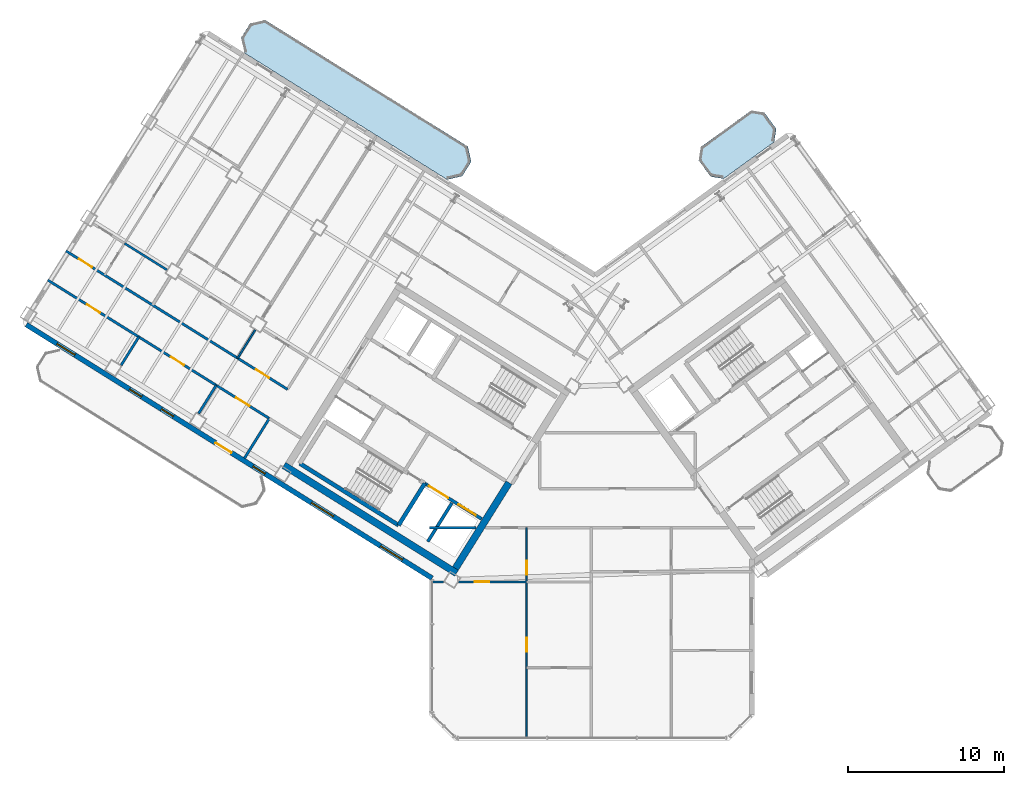
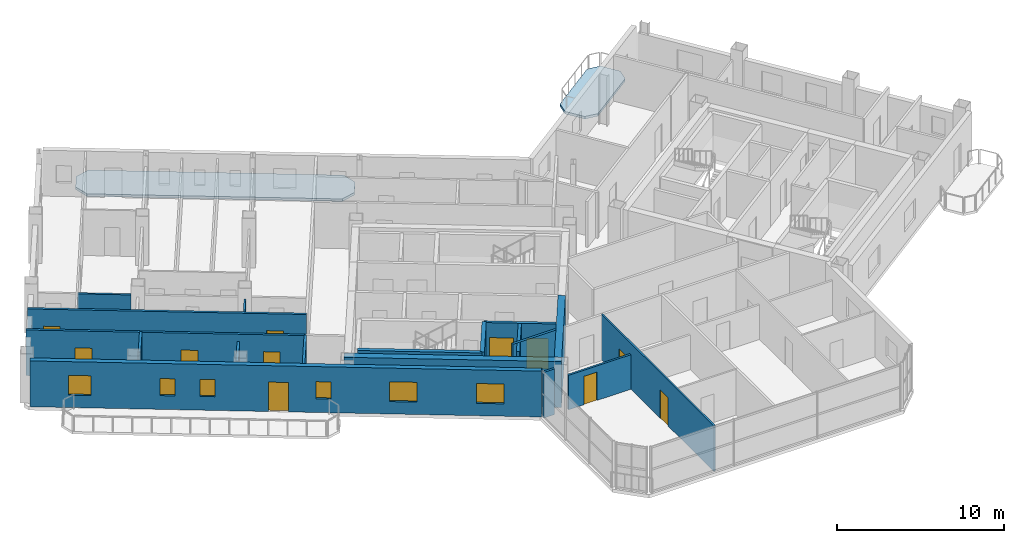
# One storey, part 11 of 20: 18 walls, 11 doors, 6 windows, 2 slabs, 17 openings.
"""IFC4 building model written with IfcOpenShell, lengths in metres."""

from ifc_helpers import new_model, si_unit, direction, frame, frame_2d, origin, place, context, subcontext, project, spatial, polyline, rectangle, outline, extrude, source, transform, mapped, material, layer, layer_set, type_object, element, fill, save


model = new_model("IFC4")

# Units and contexts
model_context = context("Model", 3, precision=1e-05, world=origin(), true_north=direction((0.0, 1.0)))
body_context = subcontext(model_context, "Body", "Model", "MODEL_VIEW")
ifc_project = project(units=[si_unit("LENGTHUNIT", "METRE"), si_unit("AREAUNIT", "SQUARE_METRE"), si_unit("VOLUMEUNIT", "CUBIC_METRE"), si_unit("PLANEANGLEUNIT", "RADIAN"), si_unit("MASSUNIT", "GRAM", prefix="KILO")], contexts=[model_context])

# Site, building, storey
site_placement = place(None, origin())
site = spatial("IfcSite", under=ifc_project, at=site_placement, CompositionType="ELEMENT")
building_placement = place(site_placement, origin())
building = spatial("IfcBuilding", under=site, at=building_placement, Name="Tlacorven Tower", CompositionType="ELEMENT")
storey_placement = place(building_placement, frame((0.0, 0.0, 225.60009765625)))
storey = spatial("IfcBuildingStorey", under=building, at=storey_placement, Name="L57", CompositionType="ELEMENT", Elevation=225.60009765625)

# Slabs
ifc_material_1 = material(Name="Precast concrete C45/55", Category="concrete")
ifc_layer_1 = layer(ifc_material_1, 0.179931640625)
ifc_layer_set_1 = layer_set([ifc_layer_1], Name="Precast concrete C45/55")
slab_type = type_object("IfcSlabType", Name="SL-BAL-180", PredefinedType="USERDEFINED", material=ifc_layer_set_1)
slab_1_placement = place(storey_placement, frame((0.0, 0.0, -0.18017578125)))
element("IfcSlab", 1, at=slab_1_placement, inside=storey, type_object=slab_type, Name="L57 West Wing Balcony Ribbon IN", ObjectType="BALCONY SLAB", PredefinedType="USERDEFINED", context=body_context, shape_type="SweptSolid", body=[
    extrude(outline(polyline([(34.0419921875, 39.835693359375), (21.06689453125, 47.943359375), (20.102294921875, 47.720703125), (19.52197265625, 46.7919921875), (19.744873046875, 45.827392578125), (32.719970703125, 37.7197265625), (33.6845703125, 37.9423828125), (34.2646484375, 38.87109375), (34.0419921875, 39.835693359375)])), origin(), (0.0, 0.0, 1.0), 0.18017578125),
])
slab_2_placement = place(storey_placement, frame((0.0, 0.0, -0.18017578125)))
element("IfcSlab", 2, at=slab_2_placement, inside=storey, type_object=slab_type, Name="L57 East Wing Balcony Ribbon IN", ObjectType="BALCONY SLAB", PredefinedType="USERDEFINED", context=body_context, shape_type="SweptSolid", body=[
    extrude(outline(polyline([(50.433837890625, 37.77880859375), (53.669921875, 40.1298828125), (53.802490234375, 40.968017578125), (53.04150390625, 42.015625), (52.203369140625, 42.1484375), (48.96728515625, 39.79736328125), (48.83447265625, 38.959228515625), (49.595703125, 37.91162109375), (50.433837890625, 37.77880859375)])), origin(), (0.0, 0.0, 1.0), 0.18017578125),
])

# Walls
ifc_material_2 = material(Name="Concrete C50/60", Category="concrete")
ifc_layer_2 = layer(ifc_material_2, 0.449951171875)
ifc_layer_set_2 = layer_set([ifc_layer_2], Name="Concrete C50/60")
wall_type_1 = type_object("IfcWallType", Name="WL-COR-450", PredefinedType="SHEAR", material=ifc_layer_set_2)
wall_1_placement = place(storey_placement, frame((33.32373046875, 12.5029296875, 0.0), z_axis=(0.0, 0.0, 1.0), x_axis=(-0.848043529849, 0.529926571782, 0.0)))
element("IfcWall", 3, at=wall_1_placement, inside=storey, type_object=wall_type_1, Name="L57 W core shear wall S2", PredefinedType="SHEAR", context=body_context, shape_type="SweptSolid", body=[
    extrude(rectangle(XDim=13.039794921875, YDim=0.449951171875, at=frame_2d((6.52001953125, 0.0))), origin(), (0.0, 0.0, 1.0), 3.349853515625),
])
wall_2_placement = place(storey_placement, frame((36.683349609375, 18.30419921875, 0.0), z_axis=(0.0, 0.0, 1.0), x_axis=(-0.529904039071, -0.848057609704, 0.0)))
element("IfcWall", 4, at=wall_2_placement, inside=storey, type_object=wall_type_1, Name="L57 W core end wall E1.2", PredefinedType="SHEAR", context=body_context, shape_type="SweptSolid", body=[
    extrude(rectangle(XDim=6.47509765625, YDim=0.449951171875, at=frame_2d((3.237548828125, 0.0))), origin(), (0.0, 0.0, 1.0), 3.349853515625),
])
ifc_material_3 = material(Name="Gypsum plasterboard acoustic partition", Category="gypsum")
ifc_layer_3 = layer(ifc_material_3, 0.159912109375)
ifc_layer_set_3 = layer_set([ifc_layer_3], Name="Gypsum plasterboard acoustic partition")
wall_type_2 = type_object("IfcWallType", Name="WL-DEM-160", PredefinedType="PARTITIONING", material=ifc_layer_set_3)
wall_3_placement = place(storey_placement, frame((21.3291015625, 22.41552734375, 0.0), z_axis=(0.0, 0.0, 1.0), x_axis=(-0.529933104572, -0.848039447596, 0.0)))
element("IfcWall", 5, at=wall_3_placement, inside=storey, type_object=wall_type_2, Name="L57 partition 39", PredefinedType="PARTITIONING", context=body_context, shape_type="SweptSolid", body=[
    extrude(rectangle(XDim=3.0, YDim=0.159912109375, at=frame_2d((1.5, 0.0))), origin(), (0.0, 0.0, 1.0), 3.33984375),
])

# Wall, openings, doors
wall_4_placement = place(storey_placement, frame((22.494873046875, 24.28125, 0.0), z_axis=(0.0, 0.0, 1.0), x_axis=(-0.848052408131, 0.529912363569, 0.0)))
wall_4 = element("IfcWall", 6, at=wall_4_placement, inside=storey, type_object=wall_type_2, Name="L57 Wing W Corridor South Wall", PredefinedType="PARTITIONING", context=body_context, shape_type="SweptSolid", body=[
    extrude(rectangle(XDim=16.72998046875, YDim=0.159912109375, at=frame_2d((8.364990234375, 0.0))), origin(), (0.0, 0.0, 1.0), 3.33984375),
])
opening_1_placement = place(wall_4_placement, frame((1.385009765625, 0.0, 0.0)))
opening_1 = element("IfcOpeningElement", 7, at=opening_1_placement, cuts=wall_4, Name="Opening D11", PredefinedType="OPENING", context=body_context, shape_type="SweptSolid", body=[
    extrude(rectangle(XDim=1.0, YDim=2.10009765625, at=frame_2d((0.5, 1.050048828125))), frame((0.0, 0.08984375, 0.0), z_axis=(0.0, -1.0, 0.0), x_axis=(1.0, 0.0, 0.0)), (0.0, 0.0, 1.0), 0.179931640625),
])
opening_2_placement = place(wall_4_placement, frame((14.760009765625, 0.0, 0.0)))
opening_2 = element("IfcOpeningElement", 8, at=opening_2_placement, cuts=wall_4, Name="Opening D11", PredefinedType="OPENING", context=body_context, shape_type="SweptSolid", body=[
    extrude(rectangle(XDim=1.0, YDim=2.10009765625, at=frame_2d((0.5, 1.050048828125))), frame((0.0, 0.08984375, 0.0), z_axis=(0.0, -1.0, 0.0), x_axis=(1.0, 0.0, 0.0)), (0.0, 0.0, 1.0), 0.179931640625),
])
ifc_material_4 = material(Name="Fire-rated steel door assembly", Category="steel")
door_type_1 = type_object("IfcDoorType", Name="DR-FLT-FD60-1000", OperationType="NOTDEFINED", PredefinedType="DOOR", material=ifc_material_4)
shared_shape_1 = source(origin(), body_context, "Body", "SweptSolid", [
    extrude(rectangle(XDim=1.0, YDim=2.10009765625, at=frame_2d((0.5, 1.050048828125))), frame((0.0, 0.02490234375, 0.0), z_axis=(0.0, -1.0, 0.0), x_axis=(1.0, 0.0, 0.0)), (0.0, 0.0, 1.0), 0.050048828125),
])
door_1_placement = place(opening_1_placement, origin())
door_1 = element("IfcDoor", 9, at=door_1_placement, inside=storey, type_object=door_type_1, Name="L57 door 024", OperationType="SINGLE_SWING_RIGHT", OverallHeight=2.10009765625, OverallWidth=1.0, PredefinedType="DOOR", context=body_context, shape_type="MappedRepresentation", body=[
    mapped(shared_shape_1, transform((0.0, 0.0, 0.0), scale=1.0)),
])
fill(opening_1, door_1)
door_2_placement = place(opening_2_placement, origin())
door_2 = element("IfcDoor", 10, at=door_2_placement, inside=storey, type_object=door_type_1, Name="L57 door 032", OperationType="SINGLE_SWING_RIGHT", OverallHeight=2.10009765625, OverallWidth=1.0, PredefinedType="DOOR", context=body_context, shape_type="MappedRepresentation", body=[
    mapped(shared_shape_1, transform((0.0, 0.0, 0.0), scale=1.0)),
])
fill(opening_2, door_2)

wall_5_placement = place(storey_placement, frame((21.3291015625, 22.41552734375, 0.0), z_axis=(0.0, 0.0, 1.0), x_axis=(-0.848052408131, 0.529912363569, 0.0)))
wall_5 = element("IfcWall", 11, at=wall_5_placement, inside=storey, type_object=wall_type_2, Name="L57 Wing W Corridor North Wall", PredefinedType="PARTITIONING", context=body_context, shape_type="SweptSolid", body=[
    extrude(rectangle(XDim=16.72998046875, YDim=0.159912109375, at=frame_2d((8.364990234375, 0.0))), origin(), (0.0, 0.0, 1.0), 3.33984375),
])
opening_3_placement = place(wall_5_placement, frame((1.5048828125, 0.0, 0.0)))
opening_3 = element("IfcOpeningElement", 12, at=opening_3_placement, cuts=wall_5, Name="Opening D11", PredefinedType="OPENING", context=body_context, shape_type="SweptSolid", body=[
    extrude(rectangle(XDim=1.0, YDim=2.10009765625, at=frame_2d((0.5, 1.050048828125))), frame((0.0, 0.08984375, 0.0), z_axis=(0.0, -1.0, 0.0), x_axis=(1.0, 0.0, 0.0)), (0.0, 0.0, 1.0), 0.179931640625),
])
opening_4_placement = place(wall_5_placement, frame((6.4345703125, 0.0, 0.0)))
opening_4 = element("IfcOpeningElement", 13, at=opening_4_placement, cuts=wall_5, Name="Opening D11", PredefinedType="OPENING", context=body_context, shape_type="SweptSolid", body=[
    extrude(rectangle(XDim=1.0, YDim=2.10009765625, at=frame_2d((0.5, 1.050048828125))), frame((0.0, 0.08984375, 0.0), z_axis=(0.0, -1.0, 0.0), x_axis=(1.0, 0.0, 0.0)), (0.0, 0.0, 1.0), 0.179931640625),
])
opening_5_placement = place(wall_5_placement, frame((12.784423828125, 0.0, 0.0)))
opening_5 = element("IfcOpeningElement", 14, at=opening_5_placement, cuts=wall_5, Name="Opening D11", PredefinedType="OPENING", context=body_context, shape_type="SweptSolid", body=[
    extrude(rectangle(XDim=1.0, YDim=2.10009765625, at=frame_2d((0.5, 1.050048828125))), frame((0.0, 0.08984375, 0.0), z_axis=(0.0, -1.0, 0.0), x_axis=(1.0, 0.0, 0.0)), (0.0, 0.0, 1.0), 0.179931640625),
])
door_3_placement = place(opening_3_placement, origin())
door_3 = element("IfcDoor", 15, at=door_3_placement, inside=storey, type_object=door_type_1, Name="L57 door 020", OperationType="SINGLE_SWING_RIGHT", OverallHeight=2.10009765625, OverallWidth=1.0, PredefinedType="DOOR", context=body_context, shape_type="MappedRepresentation", body=[
    mapped(shared_shape_1, transform((0.0, 0.0, 0.0), scale=1.0)),
])
fill(opening_3, door_3)
door_4_placement = place(opening_4_placement, origin())
door_4 = element("IfcDoor", 16, at=door_4_placement, inside=storey, type_object=door_type_1, Name="L57 door 021", OperationType="SINGLE_SWING_LEFT", OverallHeight=2.10009765625, OverallWidth=1.0, PredefinedType="DOOR", context=body_context, shape_type="MappedRepresentation", body=[
    mapped(shared_shape_1, transform((0.0, 0.0, 0.0), scale=1.0)),
])
fill(opening_4, door_4)
door_5_placement = place(opening_5_placement, origin())
door_5 = element("IfcDoor", 17, at=door_5_placement, inside=storey, type_object=door_type_1, Name="L57 door 022", OperationType="SINGLE_SWING_RIGHT", OverallHeight=2.10009765625, OverallWidth=1.0, PredefinedType="DOOR", context=body_context, shape_type="MappedRepresentation", body=[
    mapped(shared_shape_1, transform((0.0, 0.0, 0.0), scale=1.0)),
])
fill(opening_5, door_5)

# Walls
wall_6_placement = place(storey_placement, frame((17.92822265625, 24.54052734375, 0.0), z_axis=(0.0, 0.0, 1.0), x_axis=(-0.529844966244, -0.848094518167, 0.0)))
element("IfcWall", 18, at=wall_6_placement, inside=storey, type_object=wall_type_2, Name="L57 partition 42", PredefinedType="PARTITIONING", context=body_context, shape_type="SweptSolid", body=[
    extrude(rectangle(XDim=2.137939453125, YDim=0.159912109375, at=frame_2d((1.06884765625, 0.0))), origin(), (0.0, 0.0, 1.0), 2.824951171875),
])
wall_7_placement = place(storey_placement, frame((12.968017578125, 27.639892578125, 0.0), z_axis=(0.0, 0.0, 1.0), x_axis=(-0.52989628283, -0.848062456098, 0.0)))
element("IfcWall", 19, at=wall_7_placement, inside=storey, type_object=wall_type_2, Name="L57 partition 43", PredefinedType="PARTITIONING", context=body_context, shape_type="SweptSolid", body=[
    extrude(rectangle(XDim=2.1376953125, YDim=0.159912109375, at=frame_2d((1.06884765625, 0.0))), origin(), (0.0, 0.0, 1.0), 3.33984375),
])
wall_8_placement = place(storey_placement, frame((31.60009765625, 15.419921875, 0.0), z_axis=(0.0, 0.0, 1.0), x_axis=(1.0, 0.0, 0.0)))
element("IfcWall", 20, at=wall_8_placement, inside=storey, type_object=wall_type_2, Name="L57 Knuckle Corridor South Wall", PredefinedType="PARTITIONING", context=body_context, shape_type="SweptSolid", body=[
    extrude(rectangle(XDim=2.984130859375, YDim=0.159912109375, at=frame_2d((1.4921875, 0.0))), origin(), (0.0, 0.0, 1.0), 3.33984375),
])

# Wall, openings, door, windows
ifc_layer_4 = layer(ifc_material_1, 0.320068359375)
ifc_layer_set_4 = layer_set([ifc_layer_4], Name="Precast concrete C45/55")
wall_type_3 = type_object("IfcWallType", Name="WL-EXT-320", PredefinedType="STANDARD", material=ifc_layer_set_4)
wall_9_placement = place(storey_placement, frame((31.760009765625, 12.18310546875, 0.0), z_axis=(0.0, 0.0, 1.0), x_axis=(-0.848047074256, 0.529920899612, 0.0)))
wall_9 = element("IfcWall", 21, at=wall_9_placement, inside=storey, type_object=wall_type_3, Name="L57 Masonry-Frame Recessed Facade Wall 1", PredefinedType="STANDARD", context=body_context, shape_type="SweptSolid", body=[
    extrude(rectangle(XDim=30.652099609375, YDim=0.320068359375, at=frame_2d((15.326171875, 0.0))), origin(), (0.0, 0.0, 1.0), 3.349853515625),
])
opening_6_placement = place(wall_9_placement, frame((15.165771484375, 0.0, 0.0)))
opening_6 = element("IfcOpeningElement", 22, at=opening_6_placement, cuts=wall_9, Name="Opening D05", PredefinedType="OPENING", context=body_context, shape_type="SweptSolid", body=[
    extrude(rectangle(XDim=1.199951171875, YDim=2.14990234375, at=frame_2d((0.60009765625, 1.074951171875))), frame((0.0, 0.169921875, 0.0), z_axis=(0.0, -1.0, 0.0), x_axis=(1.0, 0.0, 0.0)), (0.0, 0.0, 1.0), 0.340087890625),
])
opening_7_placement = place(wall_9_placement, frame((2.239501953125, 0.0, 0.89990234375)))
opening_7 = element("IfcOpeningElement", 23, at=opening_7_placement, cuts=wall_9, Name="Opening WN07", PredefinedType="OPENING", context=body_context, shape_type="SweptSolid", body=[
    extrude(rectangle(XDim=1.64990234375, YDim=1.449951171875, at=frame_2d((0.824951171875, 0.72509765625))), frame((0.0, 0.169921875, 0.0), z_axis=(0.0, -1.0, 0.0), x_axis=(1.0, 0.0, 0.0)), (0.0, 0.0, 1.0), 0.340087890625),
])
opening_8_placement = place(wall_9_placement, frame((7.46875, 0.0, 0.89990234375)))
opening_8 = element("IfcOpeningElement", 24, at=opening_8_placement, cuts=wall_9, Name="Opening WN07", PredefinedType="OPENING", context=body_context, shape_type="SweptSolid", body=[
    extrude(rectangle(XDim=1.64990234375, YDim=1.449951171875, at=frame_2d((0.824951171875, 0.72509765625))), frame((0.0, 0.169921875, 0.0), z_axis=(0.0, -1.0, 0.0), x_axis=(1.0, 0.0, 0.0)), (0.0, 0.0, 1.0), 0.340087890625),
])
opening_9_placement = place(wall_9_placement, frame((12.623291015625, 0.0, 1.0)))
opening_9 = element("IfcOpeningElement", 25, at=opening_9_placement, cuts=wall_9, Name="Opening WN05", PredefinedType="OPENING", context=body_context, shape_type="SweptSolid", body=[
    extrude(rectangle(XDim=0.89990234375, YDim=1.25, at=frame_2d((0.449951171875, 0.625))), frame((0.0, 0.169921875, 0.0), z_axis=(0.0, -1.0, 0.0), x_axis=(1.0, 0.0, 0.0)), (0.0, 0.0, 1.0), 0.340087890625),
])
opening_10_placement = place(wall_9_placement, frame((19.5556640625, 0.0, 1.0)))
opening_10 = element("IfcOpeningElement", 26, at=opening_10_placement, cuts=wall_9, Name="Opening WN05", PredefinedType="OPENING", context=body_context, shape_type="SweptSolid", body=[
    extrude(rectangle(XDim=0.89990234375, YDim=1.25, at=frame_2d((0.449951171875, 0.625))), frame((0.0, 0.169921875, 0.0), z_axis=(0.0, -1.0, 0.0), x_axis=(1.0, 0.0, 0.0)), (0.0, 0.0, 1.0), 0.340087890625),
])
opening_11_placement = place(wall_9_placement, frame((21.9501953125, 0.0, 1.0)))
opening_11 = element("IfcOpeningElement", 27, at=opening_11_placement, cuts=wall_9, Name="Opening WN05", PredefinedType="OPENING", context=body_context, shape_type="SweptSolid", body=[
    extrude(rectangle(XDim=0.89990234375, YDim=1.25, at=frame_2d((0.449951171875, 0.625))), frame((0.0, 0.169921875, 0.0), z_axis=(0.0, -1.0, 0.0), x_axis=(1.0, 0.0, 0.0)), (0.0, 0.0, 1.0), 0.340087890625),
])
opening_12_placement = place(wall_9_placement, frame((26.9833984375, 0.0, 0.89990234375)))
opening_12 = element("IfcOpeningElement", 28, at=opening_12_placement, cuts=wall_9, Name="Opening WN08", PredefinedType="OPENING", context=body_context, shape_type="SweptSolid", body=[
    extrude(rectangle(XDim=1.35009765625, YDim=1.449951171875, at=frame_2d((0.675048828125, 0.72509765625))), frame((0.0, 0.169921875, 0.0), z_axis=(0.0, -1.0, 0.0), x_axis=(1.0, 0.0, 0.0)), (0.0, 0.0, 1.0), 0.340087890625),
])
ifc_material_5 = material(Name="Powder-coated aluminium and timber door", Category="wood")
door_type_2 = type_object("IfcDoorType", Name="DR-EXT-BALC-1200", OperationType="NOTDEFINED", PredefinedType="DOOR", material=ifc_material_5)
shared_shape_2 = source(origin(), body_context, "Body", "SweptSolid", [
    extrude(rectangle(XDim=1.199951171875, YDim=2.14990234375, at=frame_2d((0.60009765625, 1.074951171875))), frame((0.0, 0.02490234375, 0.0), z_axis=(0.0, -1.0, 0.0), x_axis=(1.0, 0.0, 0.0)), (0.0, 0.0, 1.0), 0.050048828125),
])
door_6_placement = place(opening_6_placement, origin())
door_6 = element("IfcDoor", 29, at=door_6_placement, inside=storey, type_object=door_type_2, Name="L57 Outdoor Access Door BAL-L57-W-OUT", OperationType="SINGLE_SWING_LEFT", OverallHeight=2.14990234375, OverallWidth=1.199951171875, PredefinedType="DOOR", context=body_context, shape_type="MappedRepresentation", body=[
    mapped(shared_shape_2, transform((0.0, 0.0, 0.0), scale=1.0)),
])
fill(opening_6, door_6)
ifc_material_6 = material(Name="Dark solar low-E double glazing in anodised aluminium frame", Category="aluminium")
window_type_1 = type_object("IfcWindowType", Name="WN-APT-0900X1350", PartitioningType="SINGLE_PANEL", PredefinedType="WINDOW", material=ifc_material_6)
shared_shape_3 = source(origin(), body_context, "Body", "SweptSolid", [
    extrude(rectangle(XDim=0.89990234375, YDim=1.25, at=frame_2d((0.449951171875, 0.625))), frame((0.0, 0.030029296875, 0.0), z_axis=(0.0, -1.0, 0.0), x_axis=(1.0, 0.0, 0.0)), (0.0, 0.0, 1.0), 0.06005859375),
])
window_1_placement = place(opening_9_placement, origin())
window_1 = element("IfcWindow", 30, at=window_1_placement, inside=storey, type_object=window_type_1, Name="L57 Recessed Masonry-Frame Window L57-01.3", OverallHeight=1.25, OverallWidth=0.89990234375, PartitioningType="SINGLE_PANEL", PredefinedType="WINDOW", context=body_context, shape_type="MappedRepresentation", body=[
    mapped(shared_shape_3, transform((0.0, 0.0, 0.0), scale=1.0)),
])
fill(opening_9, window_1)
window_2_placement = place(opening_10_placement, origin())
window_2 = element("IfcWindow", 31, at=window_2_placement, inside=storey, type_object=window_type_1, Name="L57 Recessed Masonry-Frame Window L57-01.4", OverallHeight=1.25, OverallWidth=0.89990234375, PartitioningType="SINGLE_PANEL", PredefinedType="WINDOW", context=body_context, shape_type="MappedRepresentation", body=[
    mapped(shared_shape_3, transform((0.0, 0.0, 0.0), scale=1.0)),
])
fill(opening_10, window_2)
window_3_placement = place(opening_11_placement, origin())
window_3 = element("IfcWindow", 32, at=window_3_placement, inside=storey, type_object=window_type_1, Name="L57 Recessed Masonry-Frame Window L57-01.5", OverallHeight=1.25, OverallWidth=0.89990234375, PartitioningType="SINGLE_PANEL", PredefinedType="WINDOW", context=body_context, shape_type="MappedRepresentation", body=[
    mapped(shared_shape_3, transform((0.0, 0.0, 0.0), scale=1.0)),
])
fill(opening_11, window_3)
window_type_2 = type_object("IfcWindowType", Name="WN-APT-1650X1600", PartitioningType="SINGLE_PANEL", PredefinedType="WINDOW", material=ifc_material_6)
shared_shape_4 = source(origin(), body_context, "Body", "SweptSolid", [
    extrude(rectangle(XDim=1.64990234375, YDim=1.449951171875, at=frame_2d((0.824951171875, 0.72509765625))), frame((0.0, 0.030029296875, 0.0), z_axis=(0.0, -1.0, 0.0), x_axis=(1.0, 0.0, 0.0)), (0.0, 0.0, 1.0), 0.06005859375),
])
window_4_placement = place(opening_7_placement, origin())
window_4 = element("IfcWindow", 33, at=window_4_placement, inside=storey, type_object=window_type_2, Name="L57 Recessed Masonry-Frame Window L57-01.1", OverallHeight=1.449951171875, OverallWidth=1.64990234375, PartitioningType="SINGLE_PANEL", PredefinedType="WINDOW", context=body_context, shape_type="MappedRepresentation", body=[
    mapped(shared_shape_4, transform((0.0, 0.0, 0.0), scale=1.0)),
])
fill(opening_7, window_4)
window_5_placement = place(opening_8_placement, origin())
window_5 = element("IfcWindow", 34, at=window_5_placement, inside=storey, type_object=window_type_2, Name="L57 Recessed Masonry-Frame Window L57-01.2", OverallHeight=1.449951171875, OverallWidth=1.64990234375, PartitioningType="SINGLE_PANEL", PredefinedType="WINDOW", context=body_context, shape_type="MappedRepresentation", body=[
    mapped(shared_shape_4, transform((0.0, 0.0, 0.0), scale=1.0)),
])
fill(opening_8, window_5)
window_type_3 = type_object("IfcWindowType", Name="WN-APT-1350X1550", PartitioningType="SINGLE_PANEL", PredefinedType="WINDOW", material=ifc_material_6)
shared_shape_5 = source(origin(), body_context, "Body", "SweptSolid", [
    extrude(rectangle(XDim=1.35009765625, YDim=1.449951171875, at=frame_2d((0.675048828125, 0.72509765625))), frame((0.0, 0.030029296875, 0.0), z_axis=(0.0, -1.0, 0.0), x_axis=(1.0, 0.0, 0.0)), (0.0, 0.0, 1.0), 0.06005859375),
])
window_6_placement = place(opening_12_placement, origin())
window_6 = element("IfcWindow", 35, at=window_6_placement, inside=storey, type_object=window_type_3, Name="L57 Recessed Masonry-Frame Window L57-01.6", OverallHeight=1.449951171875, OverallWidth=1.35009765625, PartitioningType="SINGLE_PANEL", PredefinedType="WINDOW", context=body_context, shape_type="MappedRepresentation", body=[
    mapped(shared_shape_5, transform((0.0, 0.0, 0.0), scale=1.0)),
])
fill(opening_12, window_6)

# Wall
ifc_material_7 = material(Name="Gypsum plasterboard partition", Category="gypsum")
ifc_layer_5 = layer(ifc_material_7, 0.110107421875)
ifc_layer_set_5 = layer_set([ifc_layer_5], Name="Gypsum plasterboard partition")
wall_type_4 = type_object("IfcWallType", Name="WL-INT-110", PredefinedType="PARTITIONING", material=ifc_layer_set_5)
wall_10_placement = place(storey_placement, frame((20.4306640625, 28.092041015625, 0.0), z_axis=(0.0, 0.0, 1.0), x_axis=(-0.529978410432, -0.848011134641, 0.0)))
element("IfcWall", 36, at=wall_10_placement, inside=storey, type_object=wall_type_4, Name="L57 partition 45", PredefinedType="PARTITIONING", context=body_context, shape_type="SweptSolid", body=[
    extrude(rectangle(XDim=2.137939453125, YDim=0.110107421875, at=frame_2d((1.06884765625, 0.0))), origin(), (0.0, 0.0, 1.0), 2.824951171875),
])

# Wall, openings, doors
wall_11_placement = place(storey_placement, frame((37.81298828125, 1.9599609375, 0.0), z_axis=(0.0, 0.0, 1.0), x_axis=(0.0, 1.0, 0.0)))
wall_11 = element("IfcWall", 37, at=wall_11_placement, inside=storey, type_object=wall_type_4, Name="L57 partition 69", PredefinedType="PARTITIONING", context=body_context, shape_type="SweptSolid", body=[
    extrude(rectangle(XDim=13.4599609375, YDim=0.110107421875, at=frame_2d((6.72998046875, 0.0))), origin(), (0.0, 0.0, 1.0), 3.33984375),
])
opening_13_placement = place(wall_11_placement, frame((5.5, 0.0, 0.0)))
opening_13 = element("IfcOpeningElement", 38, at=opening_13_placement, cuts=wall_11, Name="Opening D12", PredefinedType="OPENING", context=body_context, shape_type="SweptSolid", body=[
    extrude(rectangle(XDim=0.919921875, YDim=2.080078125, at=frame_2d((0.4599609375, 1.0400390625))), frame((0.0, 0.06494140625, 0.0), z_axis=(0.0, -1.0, 0.0), x_axis=(1.0, 0.0, 0.0)), (0.0, 0.0, 1.0), 0.130126953125),
])
opening_14_placement = place(wall_11_placement, frame((10.449951171875, 0.0, 0.0)))
opening_14 = element("IfcOpeningElement", 39, at=opening_14_placement, cuts=wall_11, Name="Opening D13", PredefinedType="OPENING", context=body_context, shape_type="SweptSolid", body=[
    extrude(rectangle(XDim=0.8798828125, YDim=2.080078125, at=frame_2d((0.43994140625, 1.0400390625))), frame((0.0, 0.06494140625, 0.0), z_axis=(0.0, -1.0, 0.0), x_axis=(1.0, 0.0, 0.0)), (0.0, 0.0, 1.0), 0.130126953125),
])
door_type_3 = type_object("IfcDoorType", Name="DR-INT-WET-0880", OperationType="NOTDEFINED", PredefinedType="DOOR", material=ifc_material_5)
shared_shape_6 = source(origin(), body_context, "Body", "SweptSolid", [
    extrude(rectangle(XDim=0.8798828125, YDim=2.080078125, at=frame_2d((0.43994140625, 1.0400390625))), frame((0.0, 0.02490234375, 0.0), z_axis=(0.0, -1.0, 0.0), x_axis=(1.0, 0.0, 0.0)), (0.0, 0.0, 1.0), 0.050048828125),
])
door_7_placement = place(opening_14_placement, origin())
door_7 = element("IfcDoor", 40, at=door_7_placement, inside=storey, type_object=door_type_3, Name="L57 door 047", OperationType="SINGLE_SWING_LEFT", OverallHeight=2.080078125, OverallWidth=0.8798828125, PredefinedType="DOOR", context=body_context, shape_type="MappedRepresentation", body=[
    mapped(shared_shape_6, transform((0.0, 0.0, 0.0), scale=1.0)),
])
fill(opening_14, door_7)
door_type_4 = type_object("IfcDoorType", Name="DR-INT-ROOM-0920", OperationType="NOTDEFINED", PredefinedType="DOOR", material=ifc_material_5)
shared_shape_7 = source(origin(), body_context, "Body", "SweptSolid", [
    extrude(rectangle(XDim=0.919921875, YDim=2.080078125, at=frame_2d((0.4599609375, 1.0400390625))), frame((0.0, 0.02490234375, 0.0), z_axis=(0.0, -1.0, 0.0), x_axis=(1.0, 0.0, 0.0)), (0.0, 0.0, 1.0), 0.050048828125),
])
door_8_placement = place(opening_13_placement, origin())
door_8 = element("IfcDoor", 41, at=door_8_placement, inside=storey, type_object=door_type_4, Name="L57 door 043", OperationType="SINGLE_SWING_LEFT", OverallHeight=2.080078125, OverallWidth=0.919921875, PredefinedType="DOOR", context=body_context, shape_type="MappedRepresentation", body=[
    mapped(shared_shape_7, transform((0.0, 0.0, 0.0), scale=1.0)),
])
fill(opening_13, door_8)

# Walls
ifc_material_8 = material(Name="Moisture-resistant gypsum plumbing wall", Category="gypsum")
ifc_layer_6 = layer(ifc_material_8, 0.139892578125)
ifc_layer_set_6 = layer_set([ifc_layer_6], Name="Moisture-resistant gypsum plumbing wall")
wall_type_5 = type_object("IfcWallType", Name="WL-PLM-140", PredefinedType="PLUMBINGWALL", material=ifc_layer_set_6)
wall_12_placement = place(storey_placement, frame((14.775634765625, 31.9345703125, 0.0), z_axis=(0.0, 0.0, 1.0), x_axis=(-0.848011130036, 0.529978417802, 0.0)))
element("IfcWall", 42, at=wall_12_placement, inside=storey, type_object=wall_type_5, Name="L57 partition 55", PredefinedType="PLUMBINGWALL", context=body_context, shape_type="SweptSolid", body=[
    extrude(rectangle(XDim=3.2080078125, YDim=0.139892578125, at=frame_2d((1.60400390625, 0.0))), origin(), (0.0, 0.0, 1.0), 2.824951171875),
])
wall_13_placement = place(storey_placement, frame((31.739990234375, 11.949951171875, 0.0), z_axis=(0.0, 0.0, 1.0), x_axis=(1.0, 0.0, 0.0)))
element("IfcWall", 43, at=wall_13_placement, inside=storey, type_object=wall_type_5, Name="L57 partition 70", PredefinedType="PLUMBINGWALL", context=body_context, shape_type="SweptSolid", body=[
    extrude(rectangle(XDim=0.747802734375, YDim=0.139892578125, at=frame_2d((0.3740234375, 0.0))), origin(), (0.0, 0.0, 1.0), 3.33984375),
])

# Wall, opening, door
wall_14_placement = place(storey_placement, frame((33.446533203125, 11.949951171875, 0.0), z_axis=(0.0, 0.0, 1.0), x_axis=(1.0, 0.0, 0.0)))
wall_14 = element("IfcWall", 44, at=wall_14_placement, inside=storey, type_object=wall_type_5, Name="L57 partition 70", PredefinedType="PLUMBINGWALL", context=body_context, shape_type="SweptSolid", body=[
    extrude(rectangle(XDim=4.366455078125, YDim=0.139892578125, at=frame_2d((2.18310546875, 0.0))), origin(), (0.0, 0.0, 1.0), 2.52490234375),
])
opening_15_placement = place(wall_14_placement, frame((1.050048828125, 0.0, 0.0)))
opening_15 = element("IfcOpeningElement", 45, at=opening_15_placement, cuts=wall_14, Name="Opening D12", PredefinedType="OPENING", context=body_context, shape_type="SweptSolid", body=[
    extrude(rectangle(XDim=0.919921875, YDim=2.080078125, at=frame_2d((0.4599609375, 1.0400390625))), frame((0.0, 0.080078125, 0.0), z_axis=(0.0, -1.0, 0.0), x_axis=(1.0, 0.0, 0.0)), (0.0, 0.0, 1.0), 0.159912109375),
])
door_9_placement = place(opening_15_placement, frame((0.919921875, 0.0, 0.0), z_axis=(0.0, 0.0, 1.0), x_axis=(-1.0, 0.0, 0.0)))
door_9 = element("IfcDoor", 46, at=door_9_placement, inside=storey, type_object=door_type_4, Name="L57 door 046", OperationType="SINGLE_SWING_RIGHT", OverallHeight=2.080078125, OverallWidth=0.919921875, PredefinedType="DOOR", context=body_context, shape_type="MappedRepresentation", body=[
    mapped(shared_shape_7, transform((0.0, 0.0, 0.0), scale=1.0)),
])
fill(opening_15, door_9)

# Wall, openings, doors
ifc_material_9 = material(Name="Concrete C40/50", Category="concrete")
ifc_layer_7 = layer(ifc_material_9, 0.199951171875)
ifc_layer_set_7 = layer_set([ifc_layer_7], Name="Concrete C40/50")
wall_type_6 = type_object("IfcWallType", Name="WL-SHF-200", PredefinedType="STANDARD", material=ifc_layer_set_7)
wall_15_placement = place(storey_placement, frame((34.93310546875, 15.978271484375, 0.0), z_axis=(0.0, 0.0, 1.0), x_axis=(-0.848055739377, 0.529907032327, 0.0)))
wall_15 = element("IfcWall", 47, at=wall_15_placement, inside=storey, type_object=wall_type_6, Name="L57 Core W Firefighting Lift Shaft Front Wall", PredefinedType="STANDARD", context=body_context, shape_type="SweptSolid", body=[
    extrude(rectangle(XDim=4.298095703125, YDim=0.199951171875, at=frame_2d((2.14892578125, 0.0))), origin(), (0.0, 0.0, 1.0), 3.33984375),
])
opening_16_placement = place(wall_15_placement, frame((0.447998046875, 0.0, 0.0)))
opening_16 = element("IfcOpeningElement", 48, at=opening_16_placement, cuts=wall_15, Name="Opening LD03", PredefinedType="OPENING", context=body_context, shape_type="SweptSolid", body=[
    extrude(rectangle(XDim=1.300048828125, YDim=2.199951171875, at=frame_2d((0.64990234375, 1.10009765625))), frame((0.0, 0.10986328125, 0.0), z_axis=(0.0, -1.0, 0.0), x_axis=(1.0, 0.0, 0.0)), (0.0, 0.0, 1.0), 0.219970703125),
])
opening_17_placement = place(wall_15_placement, frame((2.52294921875, 0.0, 0.0)))
opening_17 = element("IfcOpeningElement", 49, at=opening_17_placement, cuts=wall_15, Name="Opening LD04", PredefinedType="OPENING", context=body_context, shape_type="SweptSolid", body=[
    extrude(rectangle(XDim=1.449951171875, YDim=2.25, at=frame_2d((0.72509765625, 1.125))), frame((0.0, 0.10986328125, 0.0), z_axis=(0.0, -1.0, 0.0), x_axis=(1.0, 0.0, 0.0)), (0.0, 0.0, 1.0), 0.219970703125),
])
door_type_5 = type_object("IfcDoorType", Name="DR-LFT-SLID-1300", OperationType="DOUBLE_DOOR_SLIDING", PredefinedType="DOOR", material=ifc_material_4)
shared_shape_8 = source(origin(), body_context, "Body", "SweptSolid", [
    extrude(rectangle(XDim=1.300048828125, YDim=2.199951171875, at=frame_2d((0.64990234375, 1.10009765625))), frame((0.0, 0.02490234375, 0.0), z_axis=(0.0, -1.0, 0.0), x_axis=(1.0, 0.0, 0.0)), (0.0, 0.0, 1.0), 0.050048828125),
])
door_10_placement = place(opening_16_placement, origin())
door_10 = element("IfcDoor", 50, at=door_10_placement, inside=storey, type_object=door_type_5, Name="L57 Lift FFL-W1 Sliding Landing Door", OperationType="DOUBLE_DOOR_SLIDING", OverallHeight=2.199951171875, OverallWidth=1.300048828125, PredefinedType="DOOR", context=body_context, shape_type="MappedRepresentation", body=[
    mapped(shared_shape_8, transform((0.0, 0.0, 0.0), scale=1.0)),
])
fill(opening_16, door_10)
door_type_6 = type_object("IfcDoorType", Name="DR-LFT-SLID-1450", OperationType="DOUBLE_DOOR_SLIDING", PredefinedType="DOOR", material=ifc_material_4)
shared_shape_9 = source(origin(), body_context, "Body", "SweptSolid", [
    extrude(rectangle(XDim=1.449951171875, YDim=2.25, at=frame_2d((0.72509765625, 1.125))), frame((0.0, 0.02490234375, 0.0), z_axis=(0.0, -1.0, 0.0), x_axis=(1.0, 0.0, 0.0)), (0.0, 0.0, 1.0), 0.050048828125),
])
door_11_placement = place(opening_17_placement, origin())
door_11 = element("IfcDoor", 51, at=door_11_placement, inside=storey, type_object=door_type_6, Name="L57 Lift SVL-W1 Sliding Landing Door", OperationType="DOUBLE_DOOR_SLIDING", OverallHeight=2.25, OverallWidth=1.449951171875, PredefinedType="DOOR", context=body_context, shape_type="MappedRepresentation", body=[
    mapped(shared_shape_9, transform((0.0, 0.0, 0.0), scale=1.0)),
])
fill(opening_17, door_11)

# Walls
wall_16_placement = place(storey_placement, frame((33.02880859375, 17.003173828125, 0.0), z_axis=(0.0, 0.0, 1.0), x_axis=(-0.529916267533, -0.848049968695, 0.0)))
element("IfcWall", 52, at=wall_16_placement, inside=storey, type_object=wall_type_6, Name="L57 partition 11", PredefinedType="STANDARD", context=body_context, shape_type="SweptSolid", body=[
    extrude(rectangle(XDim=2.919921875, YDim=0.199951171875, at=frame_2d((1.4599609375, 0.0))), origin(), (0.0, 0.0, 1.0), 3.33984375),
])
ifc_layer_8 = layer(ifc_material_2, 0.260009765625)
ifc_layer_set_8 = layer_set([ifc_layer_8], Name="Concrete C50/60")
wall_type_7 = type_object("IfcWallType", Name="WL-STW-260", PredefinedType="SHEAR", material=ifc_layer_set_8)
wall_17_placement = place(storey_placement, frame((29.60498046875, 15.581298828125, 0.0), z_axis=(0.0, 0.0, 1.0), x_axis=(-0.848036911448, 0.529937163087, 0.0)))
element("IfcWall", 53, at=wall_17_placement, inside=storey, type_object=wall_type_7, Name="L57 Stair W1 Far Shear Wall", PredefinedType="SHEAR", context=body_context, shape_type="SweptSolid", body=[
    extrude(rectangle(XDim=7.4599609375, YDim=0.260009765625, at=frame_2d((3.72998046875, 0.0))), origin(), (0.0, 0.0, 1.0), 3.349853515625),
])
wall_18_placement = place(storey_placement, frame((31.2880859375, 18.255859375, 0.0), z_axis=(0.0, 0.0, 1.0), x_axis=(-0.529943379326, -0.848033026897, 0.0)))
element("IfcWall", 54, at=wall_18_placement, inside=storey, type_object=wall_type_7, Name="L57 Stair W1 West Shear Wall", PredefinedType="SHEAR", context=body_context, shape_type="SweptSolid", body=[
    extrude(rectangle(XDim=3.159912109375, YDim=0.260009765625, at=frame_2d((1.580078125, 0.0))), origin(), (0.0, 0.0, 1.0), 3.349853515625),
])

save(model, "model.ifc")
